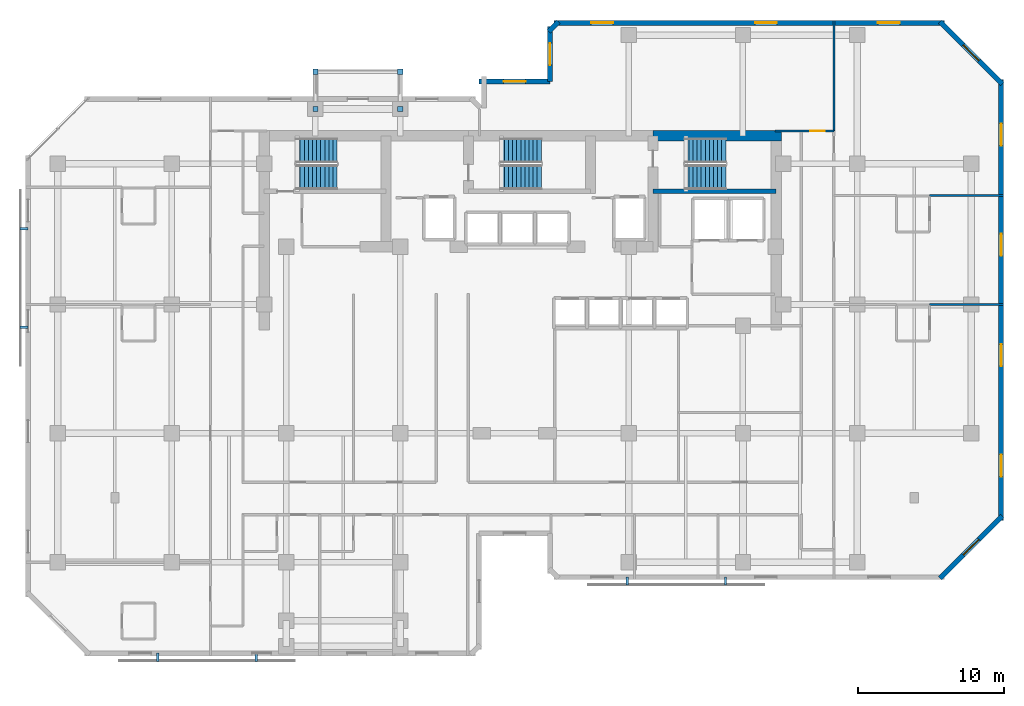
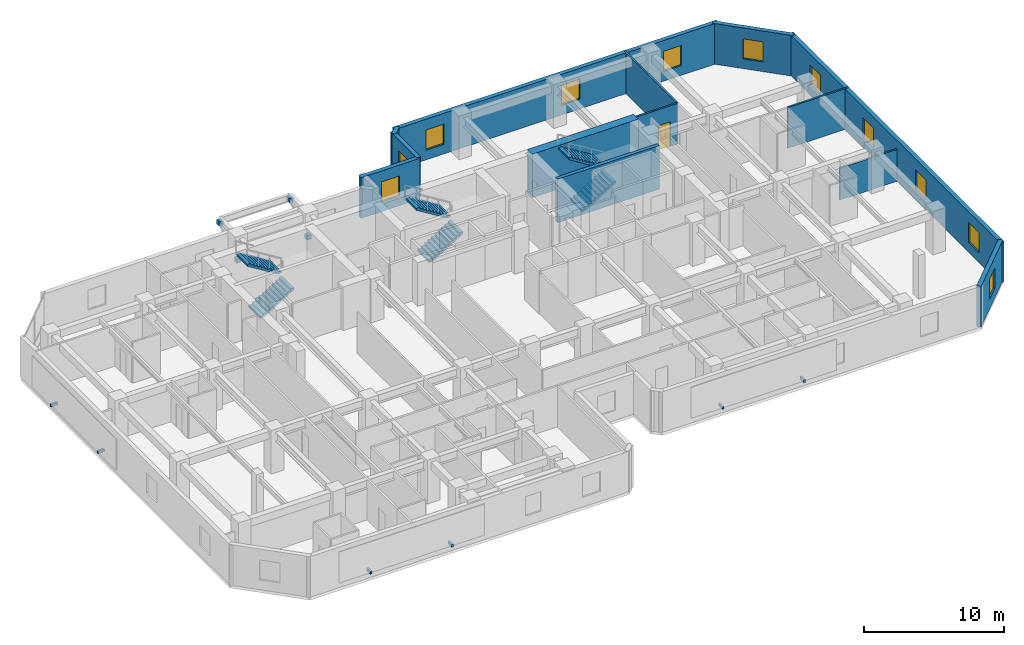
# One storey, part 8 of 10: 13 walls, 11 windows, 10 discrete accessories, 6 stair flights, 1 door, 12 openings, 3 elements without a shape of their own.
"""IFC4 building model written with IfcOpenShell, lengths in metres."""

import ifcopenshell
import ifcopenshell.guid

model = None  # the IFC model being written
_history = None  # IfcOwnerHistory: only IFC2X3 demands one
_inside = {}  # id of a spatial element -> (the spatial element, [elements in it])
_under = {}  # id of a project, library or spatial element -> (it, [spatial elements below it])
_declared = {}  # id of a project -> (the project, [libraries it declares])
_typed = {}  # id of a type object -> (the type object, [elements of that type])
_made_of = {}  # id of a material, layer set ... -> (it, [elements and type objects made of it])


def new_model(schema):
    """Start an empty IFC model of exactly this schema.

    Asked for "IFC4X3", IfcOpenShell would pick the latest addendum, in which some entities
    have other attributes; the version numbers below select the first issue.
    IFC2X3 requires an IfcOwnerHistory on every rooted entity: one is made here for all.
    """
    global model, _history
    if schema == "IFC4X3":
        model = ifcopenshell.file(schema_version=(4, 3, 0, 0))
    else:
        model = ifcopenshell.file(schema=schema)
    _inside.clear()
    _under.clear()
    _declared.clear()
    _typed.clear()
    _made_of.clear()
    _history = None
    if model.schema == "IFC2X3":
        org = make("IfcOrganization", Name="unknown")
        user = make(
            "IfcPersonAndOrganization",
            ThePerson=make("IfcPerson", FamilyName="unknown"),
            TheOrganization=org,
        )
        app = make(
            "IfcApplication",
            ApplicationDeveloper=org,
            Version="unknown",
            ApplicationFullName="unknown",
            ApplicationIdentifier="unknown",
        )
        _history = make(
            "IfcOwnerHistory",
            OwningUser=user,
            OwningApplication=app,
            ChangeAction="ADDED",
            CreationDate=0,
        )
    return model


def make(cls, **values):
    """One entity of the class cls with the attributes given. An attribute that is None is left unset."""
    return model.create_entity(
        cls, **{name: value for name, value in values.items() if value is not None}
    )


def rooted(cls, **values):
    """An entity with a GlobalId (a new one), such as an element, a storey or a relation."""
    return make(cls, GlobalId=ifcopenshell.guid.new(), OwnerHistory=_history, **values)


def si_unit(unit_type, name, prefix=None):
    """IfcSIUnit, for example si_unit("LENGTHUNIT", "METRE", prefix="MILLI")."""
    return make("IfcSIUnit", UnitType=unit_type, Prefix=prefix, Name=name)


def assignment(units):
    """IfcUnitAssignment: the units of a project."""
    return None if units is None else make("IfcUnitAssignment", Units=units)


def point(xyz):
    """IfcCartesianPoint."""
    return None if xyz is None else make("IfcCartesianPoint", Coordinates=xyz)


def direction(xyz):
    """IfcDirection."""
    return None if xyz is None else make("IfcDirection", DirectionRatios=xyz)


def frame(location, z_axis=None, x_axis=None):
    """IfcAxis2Placement3D, a coordinate frame: its origin and axes. An axis left out is left unset."""
    return make(
        "IfcAxis2Placement3D",
        Location=point(location),
        Axis=direction(z_axis),
        RefDirection=direction(x_axis),
    )


def frame_2d(location, x_axis=None):
    """IfcAxis2Placement2D, a coordinate frame in the plane: its origin and x axis."""
    return make(
        "IfcAxis2Placement2D", Location=point(location), RefDirection=direction(x_axis)
    )


def origin():
    """The frame at (0, 0, 0) with its axes left unset."""
    return frame((0.0, 0.0, 0.0))


def origin_2d():
    """The frame at (0, 0) in the plane with its x axis left unset."""
    return frame_2d((0.0, 0.0))


def place(relative_to, where):
    """IfcLocalPlacement: puts the frame where relative to a parent placement (None: the world)."""
    return make(
        "IfcLocalPlacement", PlacementRelTo=relative_to, RelativePlacement=where
    )


def context(
    kind, dimensions, precision=None, world=None, true_north=None, identifier=None
):
    """IfcGeometricRepresentationContext, for example the 3D "Model" context."""
    return make(
        "IfcGeometricRepresentationContext",
        ContextIdentifier=identifier,
        ContextType=kind,
        CoordinateSpaceDimension=dimensions,
        Precision=precision,
        WorldCoordinateSystem=world,
        TrueNorth=true_north,
    )


def subcontext(parent, identifier, kind, view, scale=None):
    """IfcGeometricRepresentationSubContext, for example "Body" below "Model"."""
    return make(
        "IfcGeometricRepresentationSubContext",
        ContextIdentifier=identifier,
        ContextType=kind,
        ParentContext=parent,
        TargetScale=scale,
        TargetView=view,
    )


def project(units=None, contexts=None):
    """IfcProject with its units and contexts."""
    return rooted(
        "IfcProject",
        Name="project",
        RepresentationContexts=contexts,
        UnitsInContext=assignment(units),
    )


def spatial(cls, under=None, at=None, **own):
    """A site, building, storey or space (cls), placed at a placement, below another one or the project."""
    s = rooted(cls, ObjectPlacement=at, **own)
    if under is not None:
        _under.setdefault(under.id(), (under, []))[1].append(s)
    return s


def polyline(points):
    """IfcPolyline through the points."""
    return make("IfcPolyline", Points=[point(p) for p in points])


def profile(cls, at=None, kind="AREA", **sizes):
    """A parametric profile (cls). Its sizes go by their IFC names, for example OverallWidth=200.0."""
    return make(cls, ProfileType=kind, Position=at, **sizes)


def rectangle(**sizes):
    """IfcRectangleProfileDef."""
    return profile("IfcRectangleProfileDef", **sizes)


def outline(outer, holes=None, kind="AREA"):
    """IfcArbitraryClosedProfileDef: a profile drawn as a closed curve; with holes, ...WithVoids."""
    if holes is None:
        return make("IfcArbitraryClosedProfileDef", ProfileType=kind, OuterCurve=outer)
    return make(
        "IfcArbitraryProfileDefWithVoids",
        ProfileType=kind,
        OuterCurve=outer,
        InnerCurves=holes,
    )


def extrude(swept, where, along, depth):
    """IfcExtrudedAreaSolid: the profile swept, set in the frame where, extruded along a direction by depth."""
    return make(
        "IfcExtrudedAreaSolid",
        SweptArea=swept,
        Position=where,
        ExtrudedDirection=direction(along),
        Depth=depth,
    )


def shape(context_of_items, identifier, shape_type, items):
    """IfcShapeRepresentation: the items that make up one representation, for example the "Body"."""
    return make(
        "IfcShapeRepresentation",
        ContextOfItems=context_of_items,
        RepresentationIdentifier=identifier,
        RepresentationType=shape_type,
        Items=items,
    )


def material(Name=None, Category=None):
    """IfcMaterial."""
    return make("IfcMaterial", Name=Name, Category=Category)


def layer(
    of_material, thickness, ventilated=None, Name=None, Category=None, Priority=None
):
    """IfcMaterialLayer: one layer of a wall or slab, of a material (None: an air gap)."""
    return make(
        "IfcMaterialLayer",
        Material=of_material,
        LayerThickness=thickness,
        IsVentilated=ventilated,
        Name=Name,
        Category=Category,
        Priority=Priority,
    )


def layer_set(layers, Name=None):
    """IfcMaterialLayerSet."""
    return make("IfcMaterialLayerSet", MaterialLayers=layers, LayerSetName=Name)


def made_of(thing, what):
    """Note that an element or type object is made of a material, layer set ...; save() writes the relation."""
    if what is not None:
        _made_of.setdefault(what.id(), (what, []))[1].append(thing)
    return thing


def type_object(cls, material=None, **own):
    """A type object (cls), such as IfcWallType, which elements share."""
    return made_of(rooted(cls, **own), material)


def element(
    cls,
    number,
    at=None,
    inside=None,
    cuts=None,
    type_object=None,
    material=None,
    context=None,
    identifier="Body",
    shape_type=None,
    held_by="IfcProductDefinitionShape",
    body=None,
    shapes=None,
    **own,
):
    """One element of the class cls, such as IfcWall. Its Tag is "e" and its number.

    at: its placement. inside: the storey or other place that contains it. cuts: it is an
    opening in that element (IfcRelVoidsElement). A single representation is given by context,
    identifier, shape_type and body (its items); several are given by shapes. held_by: the class
    of the entity that holds the representations. save() writes the other relations.
    """
    e = rooted(cls, Tag="e%d" % number, ObjectPlacement=at, **own)
    if body is not None:
        shapes = [shape(context, identifier, shape_type, body)]
    if shapes is not None:
        e.Representation = make(held_by, Representations=shapes)
    if inside is not None:
        _inside.setdefault(inside.id(), (inside, []))[1].append(e)
    if cuts is not None:
        rooted(
            "IfcRelVoidsElement", RelatingBuildingElement=cuts, RelatedOpeningElement=e
        )
    if type_object is not None:
        _typed.setdefault(type_object.id(), (type_object, []))[1].append(e)
    return made_of(e, material)


def fill(opening, filler):
    """IfcRelFillsElement: the door or window that sits in an opening."""
    return rooted(
        "IfcRelFillsElement",
        RelatingOpeningElement=opening,
        RelatedBuildingElement=filler,
    )


def aggregate(whole, parts):
    """IfcRelAggregates: a whole, such as a stair, and the parts it consists of."""
    return rooted("IfcRelAggregates", RelatingObject=whole, RelatedObjects=parts)


def save(model, path):
    """Write the relations noted so far, then the file.

    IfcRelAggregates (storeys below a building ...), IfcRelContainedInSpatialStructure (elements
    in a storey), IfcRelDefinesByType, IfcRelAssociatesMaterial and IfcRelDeclares: one each for
    every whole, place, type object, material and project.
    """
    for whole, parts in _under.values():
        aggregate(whole, parts)
    for where, things in _inside.values():
        rooted(
            "IfcRelContainedInSpatialStructure",
            RelatedElements=things,
            RelatingStructure=where,
        )
    for kind, things in _typed.values():
        rooted("IfcRelDefinesByType", RelatedObjects=things, RelatingType=kind)
    for what, things in _made_of.values():
        rooted("IfcRelAssociatesMaterial", RelatedObjects=things, RelatingMaterial=what)
    for by, libraries in _declared.values():
        rooted("IfcRelDeclares", RelatingContext=by, RelatedDefinitions=libraries)
    model.write(path)


model = new_model("IFC4")

# Units and contexts
model_context = context("Model", 3, precision=1e-05, world=origin(), true_north=direction((0.0, 1.0)))
body_context = subcontext(model_context, "Body", "Model", "MODEL_VIEW")
ifc_project = project(units=[si_unit("LENGTHUNIT", "METRE"), si_unit("AREAUNIT", "SQUARE_METRE"), si_unit("VOLUMEUNIT", "CUBIC_METRE"), si_unit("PLANEANGLEUNIT", "RADIAN"), si_unit("MASSUNIT", "GRAM", prefix="KILO")], contexts=[model_context])

# Site, building, storey
site_placement = place(None, origin())
site = spatial("IfcSite", under=ifc_project, at=site_placement, CompositionType="ELEMENT")
building_placement = place(site_placement, origin())
building = spatial("IfcBuilding", under=site, at=building_placement, Name="Kestravale Grand Hotel", CompositionType="ELEMENT")
storey_placement = place(building_placement, frame((0.0, 0.0, 142.199951171875)))
storey = spatial("IfcBuildingStorey", under=building, at=storey_placement, Name="L35", CompositionType="ELEMENT", Elevation=142.199951171875)

# Wall
ifc_material_1 = material(Name="Concrete f'c 60 MPa", Category="concrete")
ifc_layer_1 = layer(ifc_material_1, 0.699951171875)
ifc_layer_set_1 = layer_set([ifc_layer_1], Name="EW-CORE-700")
wall_type_1 = type_object("IfcWallType", Name="EW-CORE-700", PredefinedType="SHEAR", material=ifc_layer_set_1)
wall_1_placement = place(storey_placement, frame((48.449951171875, 40.320068359375, 0.0), z_axis=(0.0, 0.0, 1.0), x_axis=(1.0, 0.0, 0.0)))
element("IfcWall", 1, at=wall_1_placement, inside=storey, type_object=wall_type_1, Name="L35 core shear wall N3", PredefinedType="SHEAR", context=body_context, shape_type="SweptSolid", body=[
    extrude(rectangle(XDim=8.77001953125, YDim=0.699951171875, at=frame_2d((4.385009765625, 0.0))), origin(), (0.0, 0.0, 1.0), 3.800048828125),
])

# Wall, opening, window
ifc_material_2 = material(Name="Precast concrete f'c 45 MPa", Category="concrete")
ifc_layer_2 = layer(ifc_material_2, 0.340087890625)
ifc_layer_set_2 = layer_set([ifc_layer_2], Name="EW-PREC-340")
wall_type_2 = type_object("IfcWallType", Name="EW-PREC-340", PredefinedType="SOLIDWALL", material=ifc_layer_set_2)
wall_2_placement = place(storey_placement, frame((68.051513671875, 10.091796875, 0.0), z_axis=(0.0, 0.0, 1.0), x_axis=(0.707106781187, 0.707106781187, 0.0)))
wall_2 = element("IfcWall", 2, at=wall_2_placement, inside=storey, type_object=wall_type_2, Name="L35 fluted precast facade wall 8", PredefinedType="SOLIDWALL", context=body_context, shape_type="SweptSolid", body=[
    extrude(rectangle(XDim=6.019775390625, YDim=0.340087890625, at=frame_2d((3.009765625, 0.0))), origin(), (0.0, 0.0, 1.0), 3.550048828125),
])
opening_1_placement = place(wall_2_placement, frame((2.260009765625, 0.0, 0.85009765625)))
opening_1 = element("IfcOpeningElement", 3, at=opening_1_placement, cuts=wall_2, Name="Opening W-GUEST-1500", PredefinedType="OPENING", context=body_context, shape_type="SweptSolid", body=[
    extrude(rectangle(XDim=1.5, YDim=1.75, at=frame_2d((0.75, 0.875))), frame((0.0, 0.179931640625, 0.0), z_axis=(0.0, -1.0, 0.0), x_axis=(1.0, 0.0, 0.0)), (0.0, 0.0, 1.0), 0.360107421875),
])
ifc_material_3 = material(Name="Insulated low-E double glazing in aluminium frame", Category="aluminium")
window_type = type_object("IfcWindowType", Name="W-GUEST-1500", PartitioningType="SINGLE_PANEL", PredefinedType="WINDOW", material=ifc_material_3)
window_1_placement = place(opening_1_placement, origin())
window_1 = element("IfcWindow", 4, at=window_1_placement, inside=storey, type_object=window_type, Name="L35 exterior window 8.1", OverallHeight=1.75, OverallWidth=1.5, PartitioningType="SINGLE_PANEL", PredefinedType="WINDOW", context=body_context, shape_type="SweptSolid", body=[
    extrude(rectangle(XDim=1.5, YDim=1.75, at=frame_2d((0.75, 0.875))), frame((0.0, 0.030029296875, 0.0), z_axis=(0.0, -1.0, 0.0), x_axis=(1.0, 0.0, 0.0)), (0.0, 0.0, 1.0), 0.06005859375),
])
fill(opening_1, window_1)

# Wall, openings, windows
wall_3_placement = place(storey_placement, frame((72.22998046875, 14.030029296875, 0.0), z_axis=(0.0, 0.0, 1.0), x_axis=(0.0, 1.0, 0.0)))
wall_3 = element("IfcWall", 5, at=wall_3_placement, inside=storey, type_object=wall_type_2, Name="L35 fluted precast facade wall 9", PredefinedType="SOLIDWALL", context=body_context, shape_type="SweptSolid", body=[
    extrude(rectangle(XDim=30.139892578125, YDim=0.340087890625, at=frame_2d((15.06982421875, 0.0))), origin(), (0.0, 0.0, 1.0), 3.550048828125),
])
opening_2_placement = place(wall_3_placement, frame((3.017578125, 0.0, 0.85009765625)))
opening_2 = element("IfcOpeningElement", 6, at=opening_2_placement, cuts=wall_3, Name="Opening W-GUEST-1500", PredefinedType="OPENING", context=body_context, shape_type="SweptSolid", body=[
    extrude(rectangle(XDim=1.5, YDim=1.75, at=frame_2d((0.75, 0.875))), frame((0.0, 0.179931640625, 0.0), z_axis=(0.0, -1.0, 0.0), x_axis=(1.0, 0.0, 0.0)), (0.0, 0.0, 1.0), 0.360107421875),
])
opening_3_placement = place(wall_3_placement, frame((10.552490234375, 0.0, 0.85009765625)))
opening_3 = element("IfcOpeningElement", 7, at=opening_3_placement, cuts=wall_3, Name="Opening W-GUEST-1500", PredefinedType="OPENING", context=body_context, shape_type="SweptSolid", body=[
    extrude(rectangle(XDim=1.5, YDim=1.75, at=frame_2d((0.75, 0.875))), frame((0.0, 0.179931640625, 0.0), z_axis=(0.0, -1.0, 0.0), x_axis=(1.0, 0.0, 0.0)), (0.0, 0.0, 1.0), 0.360107421875),
])
opening_4_placement = place(wall_3_placement, frame((18.08740234375, 0.0, 0.85009765625)))
opening_4 = element("IfcOpeningElement", 8, at=opening_4_placement, cuts=wall_3, Name="Opening W-GUEST-1500", PredefinedType="OPENING", context=body_context, shape_type="SweptSolid", body=[
    extrude(rectangle(XDim=1.5, YDim=1.75, at=frame_2d((0.75, 0.875))), frame((0.0, 0.179931640625, 0.0), z_axis=(0.0, -1.0, 0.0), x_axis=(1.0, 0.0, 0.0)), (0.0, 0.0, 1.0), 0.360107421875),
])
opening_5_placement = place(wall_3_placement, frame((25.62255859375, 0.0, 0.85009765625)))
opening_5 = element("IfcOpeningElement", 9, at=opening_5_placement, cuts=wall_3, Name="Opening W-GUEST-1500", PredefinedType="OPENING", context=body_context, shape_type="SweptSolid", body=[
    extrude(rectangle(XDim=1.5, YDim=1.75, at=frame_2d((0.75, 0.875))), frame((0.0, 0.179931640625, 0.0), z_axis=(0.0, -1.0, 0.0), x_axis=(1.0, 0.0, 0.0)), (0.0, 0.0, 1.0), 0.360107421875),
])
window_2_placement = place(opening_2_placement, origin())
window_2 = element("IfcWindow", 10, at=window_2_placement, inside=storey, type_object=window_type, Name="L35 exterior window 9.1", OverallHeight=1.75, OverallWidth=1.5, PartitioningType="SINGLE_PANEL", PredefinedType="WINDOW", context=body_context, shape_type="SweptSolid", body=[
    extrude(rectangle(XDim=1.5, YDim=1.75, at=frame_2d((0.75, 0.875))), frame((0.0, 0.030029296875, 0.0), z_axis=(0.0, -1.0, 0.0), x_axis=(1.0, 0.0, 0.0)), (0.0, 0.0, 1.0), 0.06005859375),
])
fill(opening_2, window_2)
window_3_placement = place(opening_3_placement, origin())
window_3 = element("IfcWindow", 11, at=window_3_placement, inside=storey, type_object=window_type, Name="L35 exterior window 9.2", OverallHeight=1.75, OverallWidth=1.5, PartitioningType="SINGLE_PANEL", PredefinedType="WINDOW", context=body_context, shape_type="SweptSolid", body=[
    extrude(rectangle(XDim=1.5, YDim=1.75, at=frame_2d((0.75, 0.875))), frame((0.0, 0.030029296875, 0.0), z_axis=(0.0, -1.0, 0.0), x_axis=(1.0, 0.0, 0.0)), (0.0, 0.0, 1.0), 0.06005859375),
])
fill(opening_3, window_3)
window_4_placement = place(opening_4_placement, origin())
window_4 = element("IfcWindow", 12, at=window_4_placement, inside=storey, type_object=window_type, Name="L35 exterior window 9.3", OverallHeight=1.75, OverallWidth=1.5, PartitioningType="SINGLE_PANEL", PredefinedType="WINDOW", context=body_context, shape_type="SweptSolid", body=[
    extrude(rectangle(XDim=1.5, YDim=1.75, at=frame_2d((0.75, 0.875))), frame((0.0, 0.030029296875, 0.0), z_axis=(0.0, -1.0, 0.0), x_axis=(1.0, 0.0, 0.0)), (0.0, 0.0, 1.0), 0.06005859375),
])
fill(opening_4, window_4)
window_5_placement = place(opening_5_placement, origin())
window_5 = element("IfcWindow", 13, at=window_5_placement, inside=storey, type_object=window_type, Name="L35 exterior window 9.4", OverallHeight=1.75, OverallWidth=1.5, PartitioningType="SINGLE_PANEL", PredefinedType="WINDOW", context=body_context, shape_type="SweptSolid", body=[
    extrude(rectangle(XDim=1.5, YDim=1.75, at=frame_2d((0.75, 0.875))), frame((0.0, 0.030029296875, 0.0), z_axis=(0.0, -1.0, 0.0), x_axis=(1.0, 0.0, 0.0)), (0.0, 0.0, 1.0), 0.06005859375),
])
fill(opening_5, window_5)

# Wall, opening, window
wall_4_placement = place(storey_placement, frame((72.30810546875, 43.8515625, 0.0), z_axis=(0.0, 0.0, 1.0), x_axis=(-0.707106781187, 0.707106781187, 0.0)))
wall_4 = element("IfcWall", 14, at=wall_4_placement, inside=storey, type_object=wall_type_2, Name="L35 fluted precast facade wall 10", PredefinedType="SOLIDWALL", context=body_context, shape_type="SweptSolid", body=[
    extrude(rectangle(XDim=6.019775390625, YDim=0.340087890625, at=frame_2d((3.009765625, 0.0))), origin(), (0.0, 0.0, 1.0), 3.550048828125),
])
opening_6_placement = place(wall_4_placement, frame((2.260009765625, 0.0, 0.85009765625)))
opening_6 = element("IfcOpeningElement", 15, at=opening_6_placement, cuts=wall_4, Name="Opening W-GUEST-1500", PredefinedType="OPENING", context=body_context, shape_type="SweptSolid", body=[
    extrude(rectangle(XDim=1.5, YDim=1.75, at=frame_2d((0.75, 0.875))), frame((0.0, 0.179931640625, 0.0), z_axis=(0.0, -1.0, 0.0), x_axis=(1.0, 0.0, 0.0)), (0.0, 0.0, 1.0), 0.360107421875),
])
window_6_placement = place(opening_6_placement, origin())
window_6 = element("IfcWindow", 16, at=window_6_placement, inside=storey, type_object=window_type, Name="L35 exterior window 10.1", OverallHeight=1.75, OverallWidth=1.5, PartitioningType="SINGLE_PANEL", PredefinedType="WINDOW", context=body_context, shape_type="SweptSolid", body=[
    extrude(rectangle(XDim=1.5, YDim=1.75, at=frame_2d((0.75, 0.875))), frame((0.0, 0.030029296875, 0.0), z_axis=(0.0, -1.0, 0.0), x_axis=(1.0, 0.0, 0.0)), (0.0, 0.0, 1.0), 0.06005859375),
])
fill(opening_6, window_6)

# Wall, openings, windows
wall_5_placement = place(storey_placement, frame((68.3701171875, 48.030029296875, 0.0), z_axis=(0.0, 0.0, 1.0), x_axis=(-1.0, 0.0, 0.0)))
wall_5 = element("IfcWall", 17, at=wall_5_placement, inside=storey, type_object=wall_type_2, Name="L35 fluted precast facade wall 11", PredefinedType="SOLIDWALL", context=body_context, shape_type="SweptSolid", body=[
    extrude(rectangle(XDim=26.690185546875, YDim=0.340087890625, at=frame_2d((13.34521484375, 0.0))), origin(), (0.0, 0.0, 1.0), 3.550048828125),
])
opening_7_placement = place(wall_5_placement, frame((3.04833984375, 0.0, 0.85009765625)))
opening_7 = element("IfcOpeningElement", 18, at=opening_7_placement, cuts=wall_5, Name="Opening W-GUEST-1500", PredefinedType="OPENING", context=body_context, shape_type="SweptSolid", body=[
    extrude(rectangle(XDim=1.5, YDim=1.75, at=frame_2d((0.75, 0.875))), frame((0.0, 0.179931640625, 0.0), z_axis=(0.0, -1.0, 0.0), x_axis=(1.0, 0.0, 0.0)), (0.0, 0.0, 1.0), 0.360107421875),
])
opening_8_placement = place(wall_5_placement, frame((11.445068359375, 0.0, 0.85009765625)))
opening_8 = element("IfcOpeningElement", 19, at=opening_8_placement, cuts=wall_5, Name="Opening W-GUEST-1500", PredefinedType="OPENING", context=body_context, shape_type="SweptSolid", body=[
    extrude(rectangle(XDim=1.5, YDim=1.75, at=frame_2d((0.75, 0.875))), frame((0.0, 0.179931640625, 0.0), z_axis=(0.0, -1.0, 0.0), x_axis=(1.0, 0.0, 0.0)), (0.0, 0.0, 1.0), 0.360107421875),
])
opening_9_placement = place(wall_5_placement, frame((22.6416015625, 0.0, 0.85009765625)))
opening_9 = element("IfcOpeningElement", 20, at=opening_9_placement, cuts=wall_5, Name="Opening W-GUEST-1500", PredefinedType="OPENING", context=body_context, shape_type="SweptSolid", body=[
    extrude(rectangle(XDim=1.5, YDim=1.75, at=frame_2d((0.75, 0.875))), frame((0.0, 0.179931640625, 0.0), z_axis=(0.0, -1.0, 0.0), x_axis=(1.0, 0.0, 0.0)), (0.0, 0.0, 1.0), 0.360107421875),
])
window_7_placement = place(opening_7_placement, origin())
window_7 = element("IfcWindow", 21, at=window_7_placement, inside=storey, type_object=window_type, Name="L35 exterior window 11.1", OverallHeight=1.75, OverallWidth=1.5, PartitioningType="SINGLE_PANEL", PredefinedType="WINDOW", context=body_context, shape_type="SweptSolid", body=[
    extrude(rectangle(XDim=1.5, YDim=1.75, at=frame_2d((0.75, 0.875))), frame((0.0, 0.030029296875, 0.0), z_axis=(0.0, -1.0, 0.0), x_axis=(1.0, 0.0, 0.0)), (0.0, 0.0, 1.0), 0.06005859375),
])
fill(opening_7, window_7)
window_8_placement = place(opening_8_placement, origin())
window_8 = element("IfcWindow", 22, at=window_8_placement, inside=storey, type_object=window_type, Name="L35 exterior window 11.2", OverallHeight=1.75, OverallWidth=1.5, PartitioningType="SINGLE_PANEL", PredefinedType="WINDOW", context=body_context, shape_type="SweptSolid", body=[
    extrude(rectangle(XDim=1.5, YDim=1.75, at=frame_2d((0.75, 0.875))), frame((0.0, 0.030029296875, 0.0), z_axis=(0.0, -1.0, 0.0), x_axis=(1.0, 0.0, 0.0)), (0.0, 0.0, 1.0), 0.06005859375),
])
fill(opening_8, window_8)
window_9_placement = place(opening_9_placement, origin())
window_9 = element("IfcWindow", 23, at=window_9_placement, inside=storey, type_object=window_type, Name="L35 exterior window 11.3", OverallHeight=1.75, OverallWidth=1.5, PartitioningType="SINGLE_PANEL", PredefinedType="WINDOW", context=body_context, shape_type="SweptSolid", body=[
    extrude(rectangle(XDim=1.5, YDim=1.75, at=frame_2d((0.75, 0.875))), frame((0.0, 0.030029296875, 0.0), z_axis=(0.0, -1.0, 0.0), x_axis=(1.0, 0.0, 0.0)), (0.0, 0.0, 1.0), 0.06005859375),
])
fill(opening_9, window_9)

# Wall
wall_6_placement = place(storey_placement, frame((41.99853515625, 48.108154296875, 0.0), z_axis=(0.0, 0.0, 1.0), x_axis=(-0.707106781187, -0.707106781187, 0.0)))
element("IfcWall", 24, at=wall_6_placement, inside=storey, type_object=wall_type_2, Name="L35 fluted precast facade wall 12", PredefinedType="SOLIDWALL", context=body_context, shape_type="SweptSolid", body=[
    extrude(rectangle(XDim=0.9287109375, YDim=0.340087890625, at=frame_2d((0.46435546875, 0.0))), origin(), (0.0, 0.0, 1.0), 3.550048828125),
])

# Wall, opening, window
wall_7_placement = place(storey_placement, frame((41.419921875, 47.77001953125, 0.0), z_axis=(0.0, 0.0, 1.0), x_axis=(0.0, -1.0, 0.0)))
wall_7 = element("IfcWall", 25, at=wall_7_placement, inside=storey, type_object=wall_type_2, Name="L35 fluted precast facade wall 13", PredefinedType="SOLIDWALL", context=body_context, shape_type="SweptSolid", body=[
    extrude(rectangle(XDim=3.739990234375, YDim=0.340087890625, at=frame_2d((1.8701171875, 0.0))), origin(), (0.0, 0.0, 1.0), 3.550048828125),
])
opening_10_placement = place(wall_7_placement, frame((1.1201171875, 0.0, 0.85009765625)))
opening_10 = element("IfcOpeningElement", 26, at=opening_10_placement, cuts=wall_7, Name="Opening W-GUEST-1500", PredefinedType="OPENING", context=body_context, shape_type="SweptSolid", body=[
    extrude(rectangle(XDim=1.5, YDim=1.75, at=frame_2d((0.75, 0.875))), frame((0.0, 0.179931640625, 0.0), z_axis=(0.0, -1.0, 0.0), x_axis=(1.0, 0.0, 0.0)), (0.0, 0.0, 1.0), 0.360107421875),
])
window_10_placement = place(opening_10_placement, origin())
window_10 = element("IfcWindow", 27, at=window_10_placement, inside=storey, type_object=window_type, Name="L35 exterior window 13.1", OverallHeight=1.75, OverallWidth=1.5, PartitioningType="SINGLE_PANEL", PredefinedType="WINDOW", context=body_context, shape_type="SweptSolid", body=[
    extrude(rectangle(XDim=1.5, YDim=1.75, at=frame_2d((0.75, 0.875))), frame((0.0, 0.030029296875, 0.0), z_axis=(0.0, -1.0, 0.0), x_axis=(1.0, 0.0, 0.0)), (0.0, 0.0, 1.0), 0.06005859375),
])
fill(opening_10, window_10)

wall_8_placement = place(storey_placement, frame((41.419921875, 44.030029296875, 0.0), z_axis=(0.0, 0.0, 1.0), x_axis=(-1.0, 0.0, 0.0)))
wall_8 = element("IfcWall", 28, at=wall_8_placement, inside=storey, type_object=wall_type_2, Name="L35 fluted precast facade wall 14", PredefinedType="SOLIDWALL", context=body_context, shape_type="SweptSolid", body=[
    extrude(rectangle(XDim=4.83984375, YDim=0.340087890625, at=frame_2d((2.419921875, 0.0))), origin(), (0.0, 0.0, 1.0), 3.550048828125),
])
opening_11_placement = place(wall_8_placement, frame((1.669921875, 0.0, 0.85009765625)))
opening_11 = element("IfcOpeningElement", 29, at=opening_11_placement, cuts=wall_8, Name="Opening W-GUEST-1500", PredefinedType="OPENING", context=body_context, shape_type="SweptSolid", body=[
    extrude(rectangle(XDim=1.5, YDim=1.75, at=frame_2d((0.75, 0.875))), frame((0.0, 0.179931640625, 0.0), z_axis=(0.0, -1.0, 0.0), x_axis=(1.0, 0.0, 0.0)), (0.0, 0.0, 1.0), 0.360107421875),
])
window_11_placement = place(opening_11_placement, origin())
window_11 = element("IfcWindow", 30, at=window_11_placement, inside=storey, type_object=window_type, Name="L35 exterior window 14.1", OverallHeight=1.75, OverallWidth=1.5, PartitioningType="SINGLE_PANEL", PredefinedType="WINDOW", context=body_context, shape_type="SweptSolid", body=[
    extrude(rectangle(XDim=1.5, YDim=1.75, at=frame_2d((0.75, 0.875))), frame((0.0, 0.030029296875, 0.0), z_axis=(0.0, -1.0, 0.0), x_axis=(1.0, 0.0, 0.0)), (0.0, 0.0, 1.0), 0.06005859375),
])
fill(opening_11, window_11)

# Wall
ifc_material_4 = material(Name="Concrete f'c 45 MPa", Category="concrete")
ifc_layer_3 = layer(ifc_material_4, 0.300048828125)
ifc_layer_set_3 = layer_set([ifc_layer_3], Name="EW-STAIR-300")
wall_type_3 = type_object("IfcWallType", Name="EW-STAIR-300", PredefinedType="SHEAR", material=ifc_layer_set_3)
wall_9_placement = place(storey_placement, frame((48.449951171875, 36.52001953125, 0.0), z_axis=(0.0, 0.0, 1.0), x_axis=(1.0, 0.0, 0.0)))
element("IfcWall", 31, at=wall_9_placement, inside=storey, type_object=wall_type_3, Name="L35 stair enclosure shear wall SST3", PredefinedType="SHEAR", context=body_context, shape_type="SweptSolid", body=[
    extrude(rectangle(XDim=8.420166015625, YDim=0.300048828125, at=frame_2d((4.2099609375, 0.0))), origin(), (0.0, 0.0, 1.0), 3.800048828125),
])

# Wall, opening, door
ifc_material_5 = material(Name="Double-stud STC 52 acoustic demising partition", Category="other")
ifc_layer_4 = layer(ifc_material_5, 0.14990234375)
ifc_layer_set_4 = layer_set([ifc_layer_4], Name="IW-UNIT-150")
wall_type_4 = type_object("IfcWallType", Name="IW-UNIT-150", PredefinedType="PARTITIONING", material=ifc_layer_set_4)
wall_10_placement = place(storey_placement, frame((56.800048828125, 40.64990234375, 0.0), z_axis=(0.0, 0.0, 1.0), x_axis=(1.0, 0.0, 0.0)))
wall_10 = element("IfcWall", 32, at=wall_10_placement, inside=storey, type_object=wall_type_4, Name="W-L35-SE-N", PredefinedType="PARTITIONING", context=body_context, shape_type="SweptSolid", body=[
    extrude(rectangle(XDim=4.010009765625, YDim=0.14990234375, at=frame_2d((2.0048828125, 0.0))), origin(), (0.0, 0.0, 1.0), 3.550048828125),
])
opening_12_placement = place(wall_10_placement, frame((2.39990234375, 0.0, 0.0)))
opening_12 = element("IfcOpeningElement", 33, at=opening_12_placement, cuts=wall_10, Name="Opening D-GUEST-1000", PredefinedType="OPENING", context=body_context, shape_type="SweptSolid", body=[
    extrude(rectangle(XDim=1.0, YDim=2.14990234375, at=frame_2d((0.5, 1.074951171875))), frame((0.0, 0.0849609375, 0.0), z_axis=(0.0, -1.0, 0.0), x_axis=(1.0, 0.0, 0.0)), (0.0, 0.0, 1.0), 0.169921875),
])
ifc_material_6 = material(Name="Accessible walnut veneer hotel entrance fire door", Category="wood")
door_type = type_object("IfcDoorType", Name="D-GUEST-1000", OperationType="NOTDEFINED", PredefinedType="DOOR", material=ifc_material_6)
door_placement = place(opening_12_placement, origin())
door = element("IfcDoor", 34, at=door_placement, inside=storey, type_object=door_type, Name="L35 NE Gallery Door", OperationType="SINGLE_SWING_LEFT", OverallHeight=2.14990234375, OverallWidth=1.0, PredefinedType="DOOR", context=body_context, shape_type="SweptSolid", body=[
    extrude(rectangle(XDim=1.0, YDim=2.14990234375, at=frame_2d((0.5, 1.074951171875))), frame((0.0, 0.02490234375, 0.0), z_axis=(0.0, -1.0, 0.0), x_axis=(1.0, 0.0, 0.0)), (0.0, 0.0, 1.0), 0.050048828125),
])
fill(opening_12, door)

# Walls
wall_11_placement = place(storey_placement, frame((60.81005859375, 40.64990234375, 0.0), z_axis=(0.0, 0.0, 1.0), x_axis=(0.0, 1.0, 0.0)))
element("IfcWall", 35, at=wall_11_placement, inside=storey, type_object=wall_type_4, Name="W-L35-NGE-E", PredefinedType="PARTITIONING", context=body_context, shape_type="SweptSolid", body=[
    extrude(rectangle(XDim=7.530029296875, YDim=0.14990234375, at=frame_2d((3.76513671875, 0.0))), origin(), (0.0, 0.0, 1.0), 3.550048828125),
])
wall_12_placement = place(storey_placement, frame((67.35009765625, 28.800048828125, 0.0), z_axis=(0.0, 0.0, 1.0), x_axis=(1.0, 0.0, 0.0)))
element("IfcWall", 36, at=wall_12_placement, inside=storey, type_object=wall_type_4, Name="W-L35-EW-1", PredefinedType="PARTITIONING", context=body_context, shape_type="SweptSolid", body=[
    extrude(rectangle(XDim=5.02978515625, YDim=0.14990234375, at=frame_2d((2.514892578125, 0.0))), origin(), (0.0, 0.0, 1.0), 2.778076171875),
])
wall_13_placement = place(storey_placement, frame((67.35009765625, 36.25, 0.0), z_axis=(0.0, 0.0, 1.0), x_axis=(1.0, 0.0, 0.0)))
element("IfcWall", 37, at=wall_13_placement, inside=storey, type_object=wall_type_4, Name="W-L35-EW-2", PredefinedType="PARTITIONING", context=body_context, shape_type="SweptSolid", body=[
    extrude(rectangle(XDim=5.02978515625, YDim=0.14990234375, at=frame_2d((2.514892578125, 0.0))), origin(), (0.0, 0.0, 1.0), 3.550048828125),
])

# Stair, stair flights
ifc_material_7 = material(Name="Concrete f'c 45 MPa", Category="concrete")
stair_type = type_object("IfcStairType", Name="ST-CORE-380", PredefinedType="HALF_TURN_STAIR", material=ifc_material_7)
stair_1_placement = place(storey_placement, origin())
stair_1 = element("IfcStair", 38, at=stair_1_placement, inside=storey, type_object=stair_type, Name="L35 ST-1", PredefinedType="HALF_TURN_STAIR")
ifc_material_8 = material(Name="Concrete f'c 45 MPa", Category="concrete")
stair_flight_type = type_object("IfcStairFlightType", Name="STF-CORE-380", PredefinedType="STRAIGHT", material=ifc_material_8)
stair_flight_1_placement = place(storey_placement, frame((24.080078125, 37.489990234375, 0.0), z_axis=(0.0, 0.0, 1.0), x_axis=(1.0, 0.0, 0.0)))
stair_flight_1 = element("IfcStairFlight", 39, at=stair_flight_1_placement, type_object=stair_flight_type, Name="ST-1 flight 1", NumberOfRisers=11, NumberOfTreads=10, PredefinedType="STRAIGHT", RiserHeight=0.172727273, TreadLength=0.28, context=body_context, shape_type="SweptSolid", body=[
    extrude(outline(polyline([(0.0, 0.0), (0.0, 0.172607421875), (0.280029296875, 0.172607421875), (0.280029296875, 0.345458984375), (0.56005859375, 0.345458984375), (0.56005859375, 0.51806640625), (0.840087890625, 0.51806640625), (0.840087890625, 0.69091796875), (1.1201171875, 0.69091796875), (1.1201171875, 0.863525390625), (1.39990234375, 0.863525390625), (1.39990234375, 1.036376953125), (1.679931640625, 1.036376953125), (1.679931640625, 1.208984375), (1.9599609375, 1.208984375), (1.9599609375, 1.3818359375), (2.239990234375, 1.3818359375), (2.239990234375, 1.554443359375), (2.52001953125, 1.554443359375), (2.52001953125, 1.727294921875), (2.800048828125, 1.727294921875), (2.800048828125, 1.89990234375), (2.800048828125, 1.551025390625), (0.285400390625, 0.0), (0.0, 0.0)])), frame((0.0, 0.83984375, 0.0), z_axis=(0.0, -1.0, 0.0), x_axis=(1.0, 0.0, 0.0)), (0.0, 0.0, 1.0), 1.679931640625),
])
stair_flight_2_placement = place(storey_placement, frame((26.8798828125, 39.320068359375, 1.900146484375), z_axis=(0.0, 0.0, 1.0), x_axis=(-1.0, 0.0, 0.0)))
stair_flight_2 = element("IfcStairFlight", 40, at=stair_flight_2_placement, type_object=stair_flight_type, Name="ST-1 flight 2", NumberOfRisers=11, NumberOfTreads=10, PredefinedType="STRAIGHT", RiserHeight=0.172727273, TreadLength=0.28, context=body_context, shape_type="SweptSolid", body=[
    extrude(outline(polyline([(0.0, 0.0), (0.0, 0.172607421875), (0.280029296875, 0.172607421875), (0.280029296875, 0.345458984375), (0.56005859375, 0.345458984375), (0.56005859375, 0.51806640625), (0.840087890625, 0.51806640625), (0.840087890625, 0.69091796875), (1.1201171875, 0.69091796875), (1.1201171875, 0.863525390625), (1.39990234375, 0.863525390625), (1.39990234375, 1.036376953125), (1.679931640625, 1.036376953125), (1.679931640625, 1.208984375), (1.9599609375, 1.208984375), (1.9599609375, 1.3818359375), (2.239990234375, 1.3818359375), (2.239990234375, 1.554443359375), (2.52001953125, 1.554443359375), (2.52001953125, 1.727294921875), (2.800048828125, 1.727294921875), (2.800048828125, 1.89990234375), (2.800048828125, 1.551025390625), (0.285400390625, 0.0), (0.0, 0.0)])), frame((0.0, 0.83984375, 0.0), z_axis=(0.0, -1.0, 0.0), x_axis=(1.0, 0.0, 0.0)), (0.0, 0.0, 1.0), 1.679931640625),
])
aggregate(stair_1, [stair_flight_1, stair_flight_2])

stair_2_placement = place(storey_placement, origin())
stair_2 = element("IfcStair", 41, at=stair_2_placement, inside=storey, type_object=stair_type, Name="L35 ST-2", PredefinedType="HALF_TURN_STAIR")
stair_flight_3_placement = place(storey_placement, frame((38.030029296875, 37.489990234375, 0.0), z_axis=(0.0, 0.0, 1.0), x_axis=(1.0, 0.0, 0.0)))
stair_flight_3 = element("IfcStairFlight", 42, at=stair_flight_3_placement, type_object=stair_flight_type, Name="ST-2 flight 1", NumberOfRisers=11, NumberOfTreads=10, PredefinedType="STRAIGHT", RiserHeight=0.172727273, TreadLength=0.28, context=body_context, shape_type="SweptSolid", body=[
    extrude(outline(polyline([(0.0, 0.0), (0.0, 0.172607421875), (0.280029296875, 0.172607421875), (0.280029296875, 0.345458984375), (0.56005859375, 0.345458984375), (0.56005859375, 0.51806640625), (0.840087890625, 0.51806640625), (0.840087890625, 0.69091796875), (1.1201171875, 0.69091796875), (1.1201171875, 0.863525390625), (1.39990234375, 0.863525390625), (1.39990234375, 1.036376953125), (1.679931640625, 1.036376953125), (1.679931640625, 1.208984375), (1.9599609375, 1.208984375), (1.9599609375, 1.3818359375), (2.239990234375, 1.3818359375), (2.239990234375, 1.554443359375), (2.52001953125, 1.554443359375), (2.52001953125, 1.727294921875), (2.800048828125, 1.727294921875), (2.800048828125, 1.89990234375), (2.800048828125, 1.551025390625), (0.285400390625, 0.0), (0.0, 0.0)])), frame((0.0, 0.83984375, 0.0), z_axis=(0.0, -1.0, 0.0), x_axis=(1.0, 0.0, 0.0)), (0.0, 0.0, 1.0), 1.679931640625),
])
stair_flight_4_placement = place(storey_placement, frame((40.830078125, 39.320068359375, 1.900146484375), z_axis=(0.0, 0.0, 1.0), x_axis=(-1.0, 0.0, 0.0)))
stair_flight_4 = element("IfcStairFlight", 43, at=stair_flight_4_placement, type_object=stair_flight_type, Name="ST-2 flight 2", NumberOfRisers=11, NumberOfTreads=10, PredefinedType="STRAIGHT", RiserHeight=0.172727273, TreadLength=0.28, context=body_context, shape_type="SweptSolid", body=[
    extrude(outline(polyline([(0.0, 0.0), (0.0, 0.172607421875), (0.280029296875, 0.172607421875), (0.280029296875, 0.345458984375), (0.56005859375, 0.345458984375), (0.56005859375, 0.51806640625), (0.840087890625, 0.51806640625), (0.840087890625, 0.69091796875), (1.1201171875, 0.69091796875), (1.1201171875, 0.863525390625), (1.39990234375, 0.863525390625), (1.39990234375, 1.036376953125), (1.679931640625, 1.036376953125), (1.679931640625, 1.208984375), (1.9599609375, 1.208984375), (1.9599609375, 1.3818359375), (2.239990234375, 1.3818359375), (2.239990234375, 1.554443359375), (2.52001953125, 1.554443359375), (2.52001953125, 1.727294921875), (2.800048828125, 1.727294921875), (2.800048828125, 1.89990234375), (2.800048828125, 1.551025390625), (0.285400390625, 0.0), (0.0, 0.0)])), frame((0.0, 0.83984375, 0.0), z_axis=(0.0, -1.0, 0.0), x_axis=(1.0, 0.0, 0.0)), (0.0, 0.0, 1.0), 1.679931640625),
])
aggregate(stair_2, [stair_flight_3, stair_flight_4])

stair_3_placement = place(storey_placement, origin())
stair_3 = element("IfcStair", 44, at=stair_3_placement, inside=storey, type_object=stair_type, Name="L35 ST-3", PredefinedType="HALF_TURN_STAIR")
stair_flight_5_placement = place(storey_placement, frame((50.6298828125, 37.489990234375, 0.0), z_axis=(0.0, 0.0, 1.0), x_axis=(1.0, 0.0, 0.0)))
stair_flight_5 = element("IfcStairFlight", 45, at=stair_flight_5_placement, type_object=stair_flight_type, Name="ST-3 flight 1", NumberOfRisers=11, NumberOfTreads=10, PredefinedType="STRAIGHT", RiserHeight=0.172727273, TreadLength=0.28, context=body_context, shape_type="SweptSolid", body=[
    extrude(outline(polyline([(0.0, 0.0), (0.0, 0.172607421875), (0.280029296875, 0.172607421875), (0.280029296875, 0.345458984375), (0.56005859375, 0.345458984375), (0.56005859375, 0.51806640625), (0.840087890625, 0.51806640625), (0.840087890625, 0.69091796875), (1.1201171875, 0.69091796875), (1.1201171875, 0.863525390625), (1.39990234375, 0.863525390625), (1.39990234375, 1.036376953125), (1.679931640625, 1.036376953125), (1.679931640625, 1.208984375), (1.9599609375, 1.208984375), (1.9599609375, 1.3818359375), (2.239990234375, 1.3818359375), (2.239990234375, 1.554443359375), (2.52001953125, 1.554443359375), (2.52001953125, 1.727294921875), (2.800048828125, 1.727294921875), (2.800048828125, 1.89990234375), (2.800048828125, 1.551025390625), (0.285400390625, 0.0), (0.0, 0.0)])), frame((0.0, 0.83984375, 0.0), z_axis=(0.0, -1.0, 0.0), x_axis=(1.0, 0.0, 0.0)), (0.0, 0.0, 1.0), 1.679931640625),
])
stair_flight_6_placement = place(storey_placement, frame((53.429931640625, 39.320068359375, 1.900146484375), z_axis=(0.0, 0.0, 1.0), x_axis=(-1.0, 0.0, 0.0)))
stair_flight_6 = element("IfcStairFlight", 46, at=stair_flight_6_placement, type_object=stair_flight_type, Name="ST-3 flight 2", NumberOfRisers=11, NumberOfTreads=10, PredefinedType="STRAIGHT", RiserHeight=0.172727273, TreadLength=0.28, context=body_context, shape_type="SweptSolid", body=[
    extrude(outline(polyline([(0.0, 0.0), (0.0, 0.172607421875), (0.280029296875, 0.172607421875), (0.280029296875, 0.345458984375), (0.56005859375, 0.345458984375), (0.56005859375, 0.51806640625), (0.840087890625, 0.51806640625), (0.840087890625, 0.69091796875), (1.1201171875, 0.69091796875), (1.1201171875, 0.863525390625), (1.39990234375, 0.863525390625), (1.39990234375, 1.036376953125), (1.679931640625, 1.036376953125), (1.679931640625, 1.208984375), (1.9599609375, 1.208984375), (1.9599609375, 1.3818359375), (2.239990234375, 1.3818359375), (2.239990234375, 1.554443359375), (2.52001953125, 1.554443359375), (2.52001953125, 1.727294921875), (2.800048828125, 1.727294921875), (2.800048828125, 1.89990234375), (2.800048828125, 1.551025390625), (0.285400390625, 0.0), (0.0, 0.0)])), frame((0.0, 0.83984375, 0.0), z_axis=(0.0, -1.0, 0.0), x_axis=(1.0, 0.0, 0.0)), (0.0, 0.0, 1.0), 1.679931640625),
])
aggregate(stair_3, [stair_flight_5, stair_flight_6])

# Discrete accessories
ifc_material_9 = material(Name="Steel ASTM A572 Grade 50 hot-dip galvanised bracket", Category="steel")
discrete_accessory_type = type_object("IfcDiscreteAccessoryType", Name="ACC-BRK-STL", PredefinedType="BRACKET", material=ifc_material_9)
for number, where, z_axis, x_axis, name in (
    (47, (25.39990234375, 42.14990234375, 1.19384765625), (0.0, 0.0, 1.0), (1.0, 0.0, 0.0), "L36 terrace strut column bracket 1"),
    (48, (25.39990234375, 44.699951171875, 2.89404296875), (0.0, 0.0, 1.0), (1.0, 0.0, 0.0), "L36 terrace strut beam bracket 1"),
    (49, (31.199951171875, 42.14990234375, 1.19384765625), (0.0, 0.0, 1.0), (1.0, 0.0, 0.0), "L36 terrace strut column bracket 2"),
    (50, (31.199951171875, 44.699951171875, 2.89404296875), (0.0, 0.0, 1.0), (1.0, 0.0, 0.0), "L36 terrace strut beam bracket 2"),
):
    element("IfcDiscreteAccessory", number, at=place(storey_placement, frame(where, z_axis=z_axis, x_axis=x_axis)), inside=storey, type_object=discrete_accessory_type, Name=name, PredefinedType="BRACKET", context=body_context, shape_type="SweptSolid", body=[
        extrude(rectangle(XDim=0.360107421875, YDim=0.360107421875, at=origin_2d()), origin(), (0.0, 0.0, 1.0), 0.360107421875),
    ])
for number, where, z_axis, x_axis, name in (
    (51, (14.639892578125, 4.705078125, 0.56005859375), (0.0, 0.0, 1.0), (1.0, 0.0, 0.0), "L35 solar screen standoff bracket 1"),
    (52, (21.360107421875, 4.705078125, 0.56005859375), (0.0, 0.0, 1.0), (1.0, 0.0, 0.0), "L35 solar screen standoff bracket 2"),
    (53, (46.68994140625, 9.905029296875, 0.56005859375), (0.0, 0.0, 1.0), (1.0, 0.0, 0.0), "L35 solar screen standoff bracket 1"),
    (54, (53.409912109375, 9.905029296875, 0.56005859375), (0.0, 0.0, 1.0), (1.0, 0.0, 0.0), "L35 solar screen standoff bracket 2"),
    (55, (5.5048828125, 33.9599609375, 0.56005859375), (0.0, 0.0, 1.0), (0.0, -1.0, 0.0), "L35 solar screen standoff bracket 1"),
    (56, (5.5048828125, 27.239990234375, 0.56005859375), (0.0, 0.0, 1.0), (0.0, -1.0, 0.0), "L35 solar screen standoff bracket 2"),
):
    element("IfcDiscreteAccessory", number, at=place(storey_placement, frame(where, z_axis=z_axis, x_axis=x_axis)), inside=storey, type_object=discrete_accessory_type, Name=name, PredefinedType="BRACKET", context=body_context, shape_type="SweptSolid", body=[
        extrude(rectangle(XDim=0.159912109375, YDim=0.56005859375, at=origin_2d()), origin(), (0.0, 0.0, 1.0), 0.239990234375),
    ])

save(model, "model.ifc")
